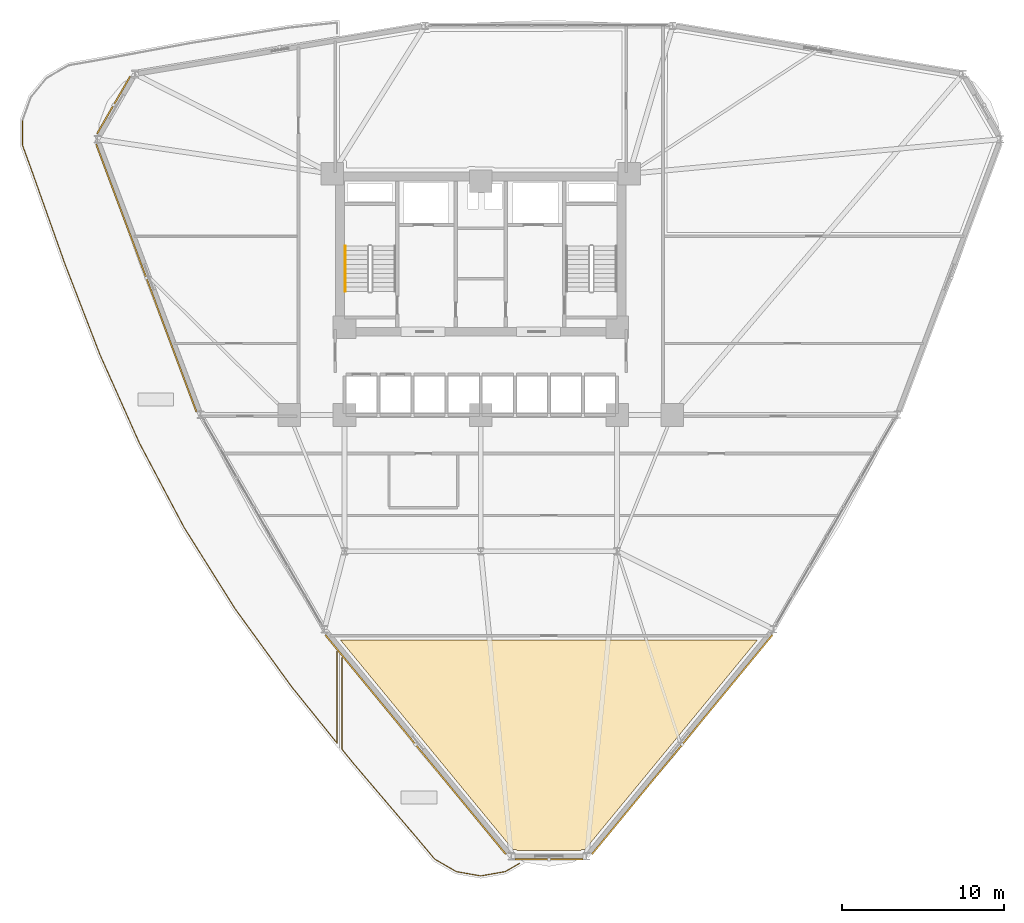
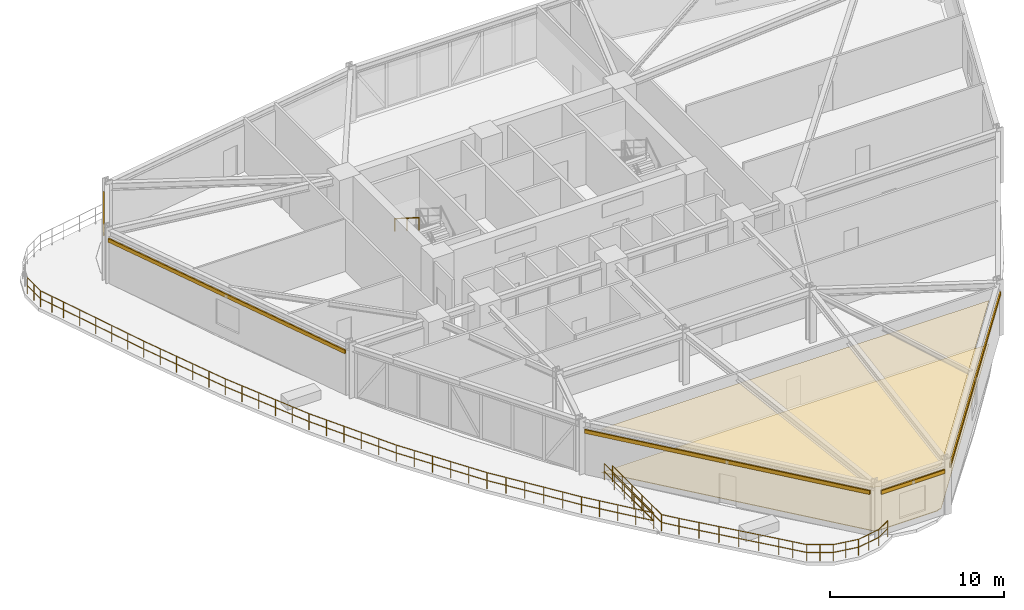
# One storey, part 19 of 21: 5 shading devices, 3 railings, 2 coverings.
"""IFC4 building model written with IfcOpenShell, lengths in metres."""

from ifc_helpers import new_model, si_unit, derived_unit, direction, frame, origin, origin_2d, place, context, subcontext, project, spatial, polyline, hollow_rectangle, circle, outline, extrude, source, transform, mapped, material, layer, layer_set, material_profile, profile_set, type_object, element, save


model = new_model("IFC4")

# Units and contexts
model_context = context("Model", 3, precision=1e-05, world=origin(), true_north=direction((0.0, 1.0)))
body_context = subcontext(model_context, "Body", "Model", "MODEL_VIEW")
ifc_project = project(units=[si_unit("LENGTHUNIT", "METRE"), si_unit("AREAUNIT", "SQUARE_METRE"), si_unit("VOLUMEUNIT", "CUBIC_METRE"), si_unit("PLANEANGLEUNIT", "RADIAN"), si_unit("MASSUNIT", "GRAM", prefix="KILO"), derived_unit("THERMALTRANSMITTANCEUNIT", [(si_unit("POWERUNIT", "WATT"), 1), (si_unit("LENGTHUNIT", "METRE"), -2), (si_unit("THERMODYNAMICTEMPERATUREUNIT", "KELVIN"), -1)])], contexts=[model_context])

# Site, building, storey
site_placement = place(None, origin())
site = spatial("IfcSite", under=ifc_project, at=site_placement, CompositionType="ELEMENT")
building_placement = place(site_placement, origin())
building = spatial("IfcBuilding", under=site, at=building_placement, Name="Korsvarv Bourse and Concert Hall", CompositionType="ELEMENT")
storey_placement = place(building_placement, frame((0.0, 0.0, 63.89990234375)))
storey = spatial("IfcBuildingStorey", under=building, at=storey_placement, Name="L15", CompositionType="ELEMENT", Elevation=63.89990234375)

# Coverings
ifc_material_1 = material(Name="Perforated mineral-wool and birch acoustic baffle ceiling", Category="wood")
ifc_layer_1 = layer(ifc_material_1, 0.02490234375)
ifc_layer_set_1 = layer_set([ifc_layer_1], Name="Perforated mineral-wool and birch acoustic baffle ceiling")
covering_type_1 = type_object("IfcCoveringType", Name="COV-CEIL-1", PredefinedType="CEILING", material=ifc_layer_set_1)
covering_1_placement = place(storey_placement, frame((0.0, 0.0, 3.06005859375)))
element("IfcCovering", 1, at=covering_1_placement, inside=storey, type_object=covering_type_1, Name="L15 acoustic baffle ceiling 2", PredefinedType="CEILING", context=body_context, shape_type="SweptSolid", body=[
    extrude(outline(polyline([(53.052490234375, 18.550048828125), (42.43017578125, 5.64599609375), (42.306884765625, 5.64599609375), (42.272216796875, 5.642578125), (42.23876953125, 5.632568359375), (42.2080078125, 5.6162109375), (42.180908203125, 5.594482421875), (42.158447265625, 5.567626953125), (38.25048828125, 5.55908203125), (38.233154296875, 5.580322265625), (38.207275390625, 5.602783203125), (38.177490234375, 5.619873046875), (38.145263671875, 5.631103515625), (38.111083984375, 5.6357421875), (37.972900390625, 5.64208984375), (27.347412109375, 18.550048828125), (53.052490234375, 18.550048828125)])), origin(), (0.0, 0.0, 1.0), 0.025146484375),
])
ifc_material_2 = material(Name="Calcium-sulphate raised access trading floor with Nordic oak top", Category="wood")
ifc_layer_2 = layer(ifc_material_2, 0.0400390625)
ifc_layer_set_2 = layer_set([ifc_layer_2], Name="Calcium-sulphate raised access trading floor with Nordic oak top")
covering_type_2 = type_object("IfcCoveringType", Name="COV-FLOR-1", PredefinedType="FLOORING", material=ifc_layer_set_2)
covering_2_placement = place(storey_placement, origin())
element("IfcCovering", 2, at=covering_2_placement, inside=storey, type_object=covering_type_2, Name="L15 raised access oak floor finish 2", PredefinedType="FLOORING", context=body_context, shape_type="SweptSolid", body=[
    extrude(outline(polyline([(53.052490234375, 18.550048828125), (42.43017578125, 5.64599609375), (42.306884765625, 5.64599609375), (42.272216796875, 5.642578125), (42.23876953125, 5.632568359375), (42.2080078125, 5.6162109375), (42.180908203125, 5.594482421875), (42.158447265625, 5.567626953125), (38.25048828125, 5.55908203125), (38.233154296875, 5.580322265625), (38.207275390625, 5.602783203125), (38.177490234375, 5.619873046875), (38.145263671875, 5.631103515625), (38.111083984375, 5.6357421875), (37.972900390625, 5.64208984375), (27.347412109375, 18.550048828125), (53.052490234375, 18.550048828125)])), origin(), (0.0, 0.0, 1.0), 0.0400390625),
])

# Railings
ifc_material_3 = material(Name="Laminated safety glass and stainless Steel S355 balustrade", Category="steel")
railing_type_1 = type_object("IfcRailingType", Name="RL-BAL-EXT", PredefinedType="BALUSTRADE", material=ifc_material_3)
railing_1_placement = place(storey_placement, frame((27.14990234375, 17.852294921875, 0.0)))
element("IfcRailing", 3, at=railing_1_placement, inside=storey, type_object=railing_type_1, Name="L15 terrace perimeter balustrade SKYG1-2", PredefinedType="BALUSTRADE", context=body_context, shape_type="SweptSolid", body=[
    extrude(circle(Radius=0.02392578125, at=origin_2d()), frame((0.0, 0.0, 1.1259765625), z_axis=(0.0, -1.0, 0.0), x_axis=(1.0, 0.0, 0.0)), (0.0, 0.0, 1.0), 5.669677734375),
    extrude(circle(Radius=0.02392578125, at=origin_2d()), frame((0.0, 0.0, 0.574951171875), z_axis=(0.0, -1.0, 0.0), x_axis=(1.0, 0.0, 0.0)), (0.0, 0.0, 1.0), 5.669677734375),
    extrude(circle(Radius=0.02392578125, at=origin_2d()), frame((0.0, -5.669677734375, 1.1259765625), z_axis=(-0.627551627671, 0.778574951182, 0.0), x_axis=(-0.778574951182, -0.627551627671, 0.0)), (0.0, 0.0, 1.0), 4.44384765625),
    extrude(circle(Radius=0.02392578125, at=origin_2d()), frame((0.0, -5.669677734375, 0.574951171875), z_axis=(-0.627551627671, 0.778574951182, 0.0), x_axis=(-0.778574951182, -0.627551627671, 0.0)), (0.0, 0.0, 1.0), 4.44384765625),
    extrude(circle(Radius=0.02392578125, at=origin_2d()), frame((-2.788818359375, -2.209716796875, 1.1259765625), z_axis=(-0.587140545127, 0.809485009292, 0.0), x_axis=(-0.809485009292, -0.587140545127, 0.0)), (0.0, 0.0, 1.0), 5.943603515625),
    extrude(circle(Radius=0.02392578125, at=origin_2d()), frame((-2.788818359375, -2.209716796875, 0.574951171875), z_axis=(-0.587140545127, 0.809485009292, 0.0), x_axis=(-0.809485009292, -0.587140545127, 0.0)), (0.0, 0.0, 1.0), 5.943603515625),
    extrude(circle(Radius=0.02392578125, at=origin_2d()), frame((-6.278564453125, 2.6015625, 1.1259765625), z_axis=(-0.531340355797, 0.847158442266, 0.0), x_axis=(-0.847158442266, -0.531340355797, 0.0)), (0.0, 0.0, 1.0), 5.90283203125),
    extrude(circle(Radius=0.02392578125, at=origin_2d()), frame((-6.278564453125, 2.6015625, 0.574951171875), z_axis=(-0.531340355797, 0.847158442266, 0.0), x_axis=(-0.847158442266, -0.531340355797, 0.0)), (0.0, 0.0, 1.0), 5.90283203125),
    extrude(circle(Radius=0.02392578125, at=origin_2d()), frame((-9.4150390625, 7.602294921875, 1.1259765625), z_axis=(-0.467969429053, 0.883744653999, 0.0), x_axis=(-0.883744653999, -0.467969429053, 0.0)), (0.0, 0.0, 1.0), 5.903076171875),
    extrude(circle(Radius=0.02392578125, at=origin_2d()), frame((-9.4150390625, 7.602294921875, 0.574951171875), z_axis=(-0.467969429053, 0.883744653999, 0.0), x_axis=(-0.883744653999, -0.467969429053, 0.0)), (0.0, 0.0, 1.0), 5.903076171875),
    extrude(circle(Radius=0.02392578125, at=origin_2d()), frame((-12.177490234375, 12.819091796875, 1.1259765625), z_axis=(-0.407490634796, 0.913209385931, 0.0), x_axis=(-0.913209385931, -0.407490634796, 0.0)), (0.0, 0.0, 1.0), 5.945068359375),
    extrude(circle(Radius=0.02392578125, at=origin_2d()), frame((-12.177490234375, 12.819091796875, 0.574951171875), z_axis=(-0.407490634796, 0.913209385931, 0.0), x_axis=(-0.913209385931, -0.407490634796, 0.0)), (0.0, 0.0, 1.0), 5.945068359375),
    extrude(circle(Radius=0.02392578125, at=origin_2d()), frame((-14.60009765625, 18.248291015625, 1.1259765625), z_axis=(-0.360455570029, 0.932776383725, 0.0), x_axis=(-0.932776383725, -0.360455570029, 0.0)), (0.0, 0.0, 1.0), 6.003662109375),
    extrude(circle(Radius=0.02392578125, at=origin_2d()), frame((-14.60009765625, 18.248291015625, 0.574951171875), z_axis=(-0.360455570029, 0.932776383725, 0.0), x_axis=(-0.932776383725, -0.360455570029, 0.0)), (0.0, 0.0, 1.0), 6.003662109375),
    extrude(circle(Radius=0.02392578125, at=origin_2d()), frame((-16.76416015625, 23.848388671875, 1.1259765625), z_axis=(-0.334950049896, 0.94223588558, 0.0), x_axis=(-0.94223588558, -0.334950049896, 0.0)), (0.0, 0.0, 1.0), 6.059326171875),
    extrude(circle(Radius=0.02392578125, at=origin_2d()), frame((-16.76416015625, 23.848388671875, 0.574951171875), z_axis=(-0.334950049896, 0.94223588558, 0.0), x_axis=(-0.94223588558, -0.334950049896, 0.0)), (0.0, 0.0, 1.0), 6.059326171875),
    extrude(circle(Radius=0.02392578125, at=origin_2d()), frame((-18.793701171875, 29.5576171875, 1.1259765625), z_axis=(-0.341993717192, 0.939702238691, 0.0), x_axis=(-0.939702238691, -0.341993717192, 0.0)), (0.0, 0.0, 1.0), 1.720458984375),
    extrude(circle(Radius=0.02392578125, at=origin_2d()), frame((-18.793701171875, 29.5576171875, 0.574951171875), z_axis=(-0.341993717192, 0.939702238691, 0.0), x_axis=(-0.939702238691, -0.341993717192, 0.0)), (0.0, 0.0, 1.0), 1.720458984375),
    extrude(circle(Radius=0.02392578125, at=origin_2d()), frame((-19.382080078125, 31.17431640625, 1.1259765625), z_axis=(0.0, 1.0, 0.0), x_axis=(-1.0, 0.0, 0.0)), (0.0, 0.0, 1.0), 1.531494140625),
    extrude(circle(Radius=0.02392578125, at=origin_2d()), frame((-19.382080078125, 31.17431640625, 0.574951171875), z_axis=(0.0, 1.0, 0.0), x_axis=(-1.0, 0.0, 0.0)), (0.0, 0.0, 1.0), 1.531494140625),
    extrude(circle(Radius=0.02099609375, at=origin_2d()), origin(), (0.0, 0.0, 1.0), 1.101806640625),
    extrude(circle(Radius=0.02099609375, at=origin_2d()), frame((0.0, -1.134033203125, 0.0)), (0.0, 0.0, 1.0), 1.101806640625),
    extrude(circle(Radius=0.02099609375, at=origin_2d()), frame((0.0, -2.267822265625, 0.0)), (0.0, 0.0, 1.0), 1.101806640625),
    extrude(circle(Radius=0.02099609375, at=origin_2d()), frame((0.0, -3.40185546875, 0.0)), (0.0, 0.0, 1.0), 1.101806640625),
    extrude(circle(Radius=0.02099609375, at=origin_2d()), frame((0.0, -4.53564453125, 0.0)), (0.0, 0.0, 1.0), 1.101806640625),
    extrude(circle(Radius=0.02099609375, at=origin_2d()), frame((0.0, -5.669677734375, 0.0)), (0.0, 0.0, 1.0), 1.101806640625),
    extrude(circle(Radius=0.02099609375, at=origin_2d()), frame((-0.697265625, -4.8046875, 0.0)), (0.0, 0.0, 1.0), 1.101806640625),
    extrude(circle(Radius=0.02099609375, at=origin_2d()), frame((-1.39453125, -3.939697265625, 0.0)), (0.0, 0.0, 1.0), 1.101806640625),
    extrude(circle(Radius=0.02099609375, at=origin_2d()), frame((-2.091552734375, -3.07470703125, 0.0)), (0.0, 0.0, 1.0), 1.101806640625),
    extrude(circle(Radius=0.02099609375, at=origin_2d()), frame((-2.788818359375, -2.209716796875, 0.0)), (0.0, 0.0, 1.0), 1.101806640625),
    extrude(circle(Radius=0.02099609375, at=origin_2d()), frame((-3.48681640625, -1.24755859375, 0.0)), (0.0, 0.0, 1.0), 1.101806640625),
    extrude(circle(Radius=0.02099609375, at=origin_2d()), frame((-4.184814453125, -0.28515625, 0.0)), (0.0, 0.0, 1.0), 1.101806640625),
    extrude(circle(Radius=0.02099609375, at=origin_2d()), frame((-4.882568359375, 0.677001953125, 0.0)), (0.0, 0.0, 1.0), 1.101806640625),
    extrude(circle(Radius=0.02099609375, at=origin_2d()), frame((-5.58056640625, 1.639404296875, 0.0)), (0.0, 0.0, 1.0), 1.101806640625),
    extrude(circle(Radius=0.02099609375, at=origin_2d()), frame((-6.278564453125, 2.6015625, 0.0)), (0.0, 0.0, 1.0), 1.101806640625),
    extrude(circle(Radius=0.02099609375, at=origin_2d()), frame((-6.90576171875, 3.601806640625, 0.0)), (0.0, 0.0, 1.0), 1.101806640625),
    extrude(circle(Radius=0.02099609375, at=origin_2d()), frame((-7.533203125, 4.601806640625, 0.0)), (0.0, 0.0, 1.0), 1.101806640625),
    extrude(circle(Radius=0.02099609375, at=origin_2d()), frame((-8.160400390625, 5.60205078125, 0.0)), (0.0, 0.0, 1.0), 1.101806640625),
    extrude(circle(Radius=0.02099609375, at=origin_2d()), frame((-8.787841796875, 6.60205078125, 0.0)), (0.0, 0.0, 1.0), 1.101806640625),
    extrude(circle(Radius=0.02099609375, at=origin_2d()), frame((-9.4150390625, 7.602294921875, 0.0)), (0.0, 0.0, 1.0), 1.101806640625),
    extrude(circle(Radius=0.02099609375, at=origin_2d()), frame((-9.967529296875, 8.645751953125, 0.0)), (0.0, 0.0, 1.0), 1.101806640625),
    extrude(circle(Radius=0.02099609375, at=origin_2d()), frame((-10.52001953125, 9.68896484375, 0.0)), (0.0, 0.0, 1.0), 1.101806640625),
    extrude(circle(Radius=0.02099609375, at=origin_2d()), frame((-11.072509765625, 10.732421875, 0.0)), (0.0, 0.0, 1.0), 1.101806640625),
    extrude(circle(Radius=0.02099609375, at=origin_2d()), frame((-11.625, 11.775634765625, 0.0)), (0.0, 0.0, 1.0), 1.101806640625),
    extrude(circle(Radius=0.02099609375, at=origin_2d()), frame((-12.177490234375, 12.819091796875, 0.0)), (0.0, 0.0, 1.0), 1.101806640625),
    extrude(circle(Radius=0.02099609375, at=origin_2d()), frame((-12.662109375, 13.905029296875, 0.0)), (0.0, 0.0, 1.0), 1.101806640625),
    extrude(circle(Radius=0.02099609375, at=origin_2d()), frame((-13.146484375, 14.99072265625, 0.0)), (0.0, 0.0, 1.0), 1.101806640625),
    extrude(circle(Radius=0.02099609375, at=origin_2d()), frame((-13.631103515625, 16.07666015625, 0.0)), (0.0, 0.0, 1.0), 1.101806640625),
    extrude(circle(Radius=0.02099609375, at=origin_2d()), frame((-14.115478515625, 17.162353515625, 0.0)), (0.0, 0.0, 1.0), 1.101806640625),
    extrude(circle(Radius=0.02099609375, at=origin_2d()), frame((-14.60009765625, 18.248291015625, 0.0)), (0.0, 0.0, 1.0), 1.101806640625),
    extrude(circle(Radius=0.02099609375, at=origin_2d()), frame((-15.032958984375, 19.368408203125, 0.0)), (0.0, 0.0, 1.0), 1.101806640625),
    extrude(circle(Radius=0.02099609375, at=origin_2d()), frame((-15.4658203125, 20.48828125, 0.0)), (0.0, 0.0, 1.0), 1.101806640625),
    extrude(circle(Radius=0.02099609375, at=origin_2d()), frame((-15.8984375, 21.6083984375, 0.0)), (0.0, 0.0, 1.0), 1.101806640625),
    extrude(circle(Radius=0.02099609375, at=origin_2d()), frame((-16.331298828125, 22.728271484375, 0.0)), (0.0, 0.0, 1.0), 1.101806640625),
    extrude(circle(Radius=0.02099609375, at=origin_2d()), frame((-16.76416015625, 23.848388671875, 0.0)), (0.0, 0.0, 1.0), 1.101806640625),
    extrude(circle(Radius=0.02099609375, at=origin_2d()), frame((-17.170166015625, 24.990234375, 0.0)), (0.0, 0.0, 1.0), 1.101806640625),
    extrude(circle(Radius=0.02099609375, at=origin_2d()), frame((-17.575927734375, 26.132080078125, 0.0)), (0.0, 0.0, 1.0), 1.101806640625),
    extrude(circle(Radius=0.02099609375, at=origin_2d()), frame((-17.98193359375, 27.27392578125, 0.0)), (0.0, 0.0, 1.0), 1.101806640625),
    extrude(circle(Radius=0.02099609375, at=origin_2d()), frame((-18.3876953125, 28.415771484375, 0.0)), (0.0, 0.0, 1.0), 1.101806640625),
    extrude(circle(Radius=0.02099609375, at=origin_2d()), frame((-18.793701171875, 29.5576171875, 0.0)), (0.0, 0.0, 1.0), 1.101806640625),
    extrude(circle(Radius=0.02099609375, at=origin_2d()), frame((-19.087890625, 30.365966796875, 0.0)), (0.0, 0.0, 1.0), 1.101806640625),
    extrude(circle(Radius=0.02099609375, at=origin_2d()), frame((-19.382080078125, 31.17431640625, 0.0)), (0.0, 0.0, 1.0), 1.101806640625),
    extrude(circle(Radius=0.02099609375, at=origin_2d()), frame((-19.382080078125, 31.93994140625, 0.0)), (0.0, 0.0, 1.0), 1.101806640625),
    extrude(circle(Radius=0.02099609375, at=origin_2d()), frame((-19.382080078125, 32.705810546875, 0.0)), (0.0, 0.0, 1.0), 1.101806640625),
])
railing_2_placement = place(storey_placement, frame((38.38525390625, 4.777587890625, 0.0)))
element("IfcRailing", 4, at=railing_2_placement, inside=storey, type_object=railing_type_1, Name="L15 terrace perimeter balustrade SKYG3-1", PredefinedType="BALUSTRADE", context=body_context, shape_type="SweptSolid", body=[
    extrude(circle(Radius=0.02392578125, at=origin_2d()), frame((0.0, 0.0, 1.1259765625), z_axis=(-0.865948626852, -0.500132957976, 0.0), x_axis=(0.500132957976, -0.865948626852, 0.0)), (0.0, 0.0, 1.0), 1.012451171875),
    extrude(circle(Radius=0.02392578125, at=origin_2d()), frame((0.0, 0.0, 0.574951171875), z_axis=(-0.865948626852, -0.500132957976, 0.0), x_axis=(0.500132957976, -0.865948626852, 0.0)), (0.0, 0.0, 1.0), 1.012451171875),
    extrude(circle(Radius=0.02392578125, at=origin_2d()), frame((-0.876708984375, -0.50634765625, 1.1259765625), z_axis=(-0.98482204307, -0.173567115213, 0.0), x_axis=(0.173567115213, -0.98482204307, 0.0)), (0.0, 0.0, 1.0), 1.53173828125),
    extrude(circle(Radius=0.02392578125, at=origin_2d()), frame((-0.876708984375, -0.50634765625, 0.574951171875), z_axis=(-0.98482204307, -0.173567115213, 0.0), x_axis=(0.173567115213, -0.98482204307, 0.0)), (0.0, 0.0, 1.0), 1.53173828125),
    extrude(circle(Radius=0.02392578125, at=origin_2d()), frame((-2.38525390625, -0.772216796875, 1.1259765625), z_axis=(-0.98482204307, 0.173567115213, 0.0), x_axis=(-0.173567115213, -0.98482204307, 0.0)), (0.0, 0.0, 1.0), 1.53173828125),
    extrude(circle(Radius=0.02392578125, at=origin_2d()), frame((-2.38525390625, -0.772216796875, 0.574951171875), z_axis=(-0.98482204307, 0.173567115213, 0.0), x_axis=(-0.173567115213, -0.98482204307, 0.0)), (0.0, 0.0, 1.0), 1.53173828125),
    extrude(circle(Radius=0.02392578125, at=origin_2d()), frame((-3.893798828125, -0.50634765625, 1.1259765625), z_axis=(-0.865967872114, 0.50009963454, 0.0), x_axis=(-0.50009963454, -0.865967872114, 0.0)), (0.0, 0.0, 1.0), 1.531494140625),
    extrude(circle(Radius=0.02392578125, at=origin_2d()), frame((-3.893798828125, -0.50634765625, 0.574951171875), z_axis=(-0.865967872114, 0.50009963454, 0.0), x_axis=(-0.50009963454, -0.865967872114, 0.0)), (0.0, 0.0, 1.0), 1.531494140625),
    extrude(circle(Radius=0.02392578125, at=origin_2d()), frame((-5.219970703125, 0.259521484375, 1.1259765625), z_axis=(-0.642814538996, 0.766021845939, 0.0), x_axis=(-0.766021845939, -0.642814538996, 0.0)), (0.0, 0.0, 1.0), 1.714111328125),
    extrude(circle(Radius=0.02392578125, at=origin_2d()), frame((-5.219970703125, 0.259521484375, 0.574951171875), z_axis=(-0.642814538996, 0.766021845939, 0.0), x_axis=(-0.766021845939, -0.642814538996, 0.0)), (0.0, 0.0, 1.0), 1.714111328125),
    extrude(circle(Radius=0.02392578125, at=origin_2d()), frame((-6.32177734375, 1.572509765625, 1.1259765625), z_axis=(-0.648531241894, 0.761188037404, 0.0), x_axis=(-0.761188037404, -0.648531241894, 0.0)), (0.0, 0.0, 1.0), 6.065673828125),
    extrude(circle(Radius=0.02392578125, at=origin_2d()), frame((-6.32177734375, 1.572509765625, 0.574951171875), z_axis=(-0.648531241894, 0.761188037404, 0.0), x_axis=(-0.761188037404, -0.648531241894, 0.0)), (0.0, 0.0, 1.0), 6.065673828125),
    extrude(circle(Radius=0.02392578125, at=origin_2d()), frame((-10.255615234375, 6.189697265625, 1.1259765625), z_axis=(-0.627549757201, 0.778576458826, 0.0), x_axis=(-0.778576458826, -0.627549757201, 0.0)), (0.0, 0.0, 1.0), 1.0830078125),
    extrude(circle(Radius=0.02392578125, at=origin_2d()), frame((-10.255615234375, 6.189697265625, 0.574951171875), z_axis=(-0.627549757201, 0.778576458826, 0.0), x_axis=(-0.778576458826, -0.627549757201, 0.0)), (0.0, 0.0, 1.0), 1.0830078125),
    extrude(circle(Radius=0.02392578125, at=origin_2d()), frame((-10.935302734375, 7.032958984375, 1.1259765625), z_axis=(0.0, 1.0, 0.0), x_axis=(-1.0, 0.0, 0.0)), (0.0, 0.0, 1.0), 5.6279296875),
    extrude(circle(Radius=0.02392578125, at=origin_2d()), frame((-10.935302734375, 7.032958984375, 0.574951171875), z_axis=(0.0, 1.0, 0.0), x_axis=(-1.0, 0.0, 0.0)), (0.0, 0.0, 1.0), 5.6279296875),
    extrude(circle(Radius=0.02099609375, at=origin_2d()), origin(), (0.0, 0.0, 1.0), 1.101806640625),
    extrude(circle(Radius=0.02099609375, at=origin_2d()), frame((-0.876708984375, -0.50634765625, 0.0)), (0.0, 0.0, 1.0), 1.101806640625),
    extrude(circle(Radius=0.02099609375, at=origin_2d()), frame((-1.630859375, -0.63916015625, 0.0)), (0.0, 0.0, 1.0), 1.101806640625),
    extrude(circle(Radius=0.02099609375, at=origin_2d()), frame((-2.38525390625, -0.772216796875, 0.0)), (0.0, 0.0, 1.0), 1.101806640625),
    extrude(circle(Radius=0.02099609375, at=origin_2d()), frame((-3.1396484375, -0.63916015625, 0.0)), (0.0, 0.0, 1.0), 1.101806640625),
    extrude(circle(Radius=0.02099609375, at=origin_2d()), frame((-3.893798828125, -0.50634765625, 0.0)), (0.0, 0.0, 1.0), 1.101806640625),
    extrude(circle(Radius=0.02099609375, at=origin_2d()), frame((-4.556884765625, -0.12353515625, 0.0)), (0.0, 0.0, 1.0), 1.101806640625),
    extrude(circle(Radius=0.02099609375, at=origin_2d()), frame((-5.219970703125, 0.259521484375, 0.0)), (0.0, 0.0, 1.0), 1.101806640625),
    extrude(circle(Radius=0.02099609375, at=origin_2d()), frame((-5.77099609375, 0.916015625, 0.0)), (0.0, 0.0, 1.0), 1.101806640625),
    extrude(circle(Radius=0.02099609375, at=origin_2d()), frame((-6.32177734375, 1.572509765625, 0.0)), (0.0, 0.0, 1.0), 1.101806640625),
    extrude(circle(Radius=0.02099609375, at=origin_2d()), frame((-7.108642578125, 2.495849609375, 0.0)), (0.0, 0.0, 1.0), 1.101806640625),
    extrude(circle(Radius=0.02099609375, at=origin_2d()), frame((-7.895263671875, 3.41943359375, 0.0)), (0.0, 0.0, 1.0), 1.101806640625),
    extrude(circle(Radius=0.02099609375, at=origin_2d()), frame((-8.68212890625, 4.3427734375, 0.0)), (0.0, 0.0, 1.0), 1.101806640625),
    extrude(circle(Radius=0.02099609375, at=origin_2d()), frame((-9.46875, 5.266357421875, 0.0)), (0.0, 0.0, 1.0), 1.101806640625),
    extrude(circle(Radius=0.02099609375, at=origin_2d()), frame((-10.255615234375, 6.189697265625, 0.0)), (0.0, 0.0, 1.0), 1.101806640625),
    extrude(circle(Radius=0.02099609375, at=origin_2d()), frame((-10.935302734375, 7.032958984375, 0.0)), (0.0, 0.0, 1.0), 1.101806640625),
    extrude(circle(Radius=0.02099609375, at=origin_2d()), frame((-10.935302734375, 8.158447265625, 0.0)), (0.0, 0.0, 1.0), 1.101806640625),
    extrude(circle(Radius=0.02099609375, at=origin_2d()), frame((-10.935302734375, 9.2841796875, 0.0)), (0.0, 0.0, 1.0), 1.101806640625),
    extrude(circle(Radius=0.02099609375, at=origin_2d()), frame((-10.935302734375, 10.40966796875, 0.0)), (0.0, 0.0, 1.0), 1.101806640625),
    extrude(circle(Radius=0.02099609375, at=origin_2d()), frame((-10.935302734375, 11.535400390625, 0.0)), (0.0, 0.0, 1.0), 1.101806640625),
    extrude(circle(Radius=0.02099609375, at=origin_2d()), frame((-10.935302734375, 12.660888671875, 0.0)), (0.0, 0.0, 1.0), 1.101806640625),
])
ifc_material_4 = material(Name="Brushed stainless Steel S355 tubular handrail", Category="steel")
railing_type_2 = type_object("IfcRailingType", Name="RL-ST-HND", PredefinedType="HANDRAIL", material=ifc_material_4)
railing_3_placement = place(storey_placement, frame((27.64990234375, 42.800048828125, 2.12744140625)))
element("IfcRailing", 5, at=railing_3_placement, inside=storey, type_object=railing_type_2, Name="L15 ST-T1 stair handrail 2", PredefinedType="HANDRAIL", context=body_context, shape_type="SweptSolid", body=[
    extrude(circle(Radius=0.02392578125, at=origin_2d()), frame((0.0, 0.0, 0.8759765625), z_axis=(0.0, -0.844908973607, 0.534910110503), x_axis=(1.0, 0.0, 0.0)), (0.0, 0.0, 1.0), 3.31396484375),
    extrude(circle(Radius=0.02099609375, at=origin_2d()), origin(), (0.0, 0.0, 1.0), 0.851806640625),
    extrude(circle(Radius=0.02099609375, at=origin_2d()), frame((0.0, -1.39990234375, 0.88623046875)), (0.0, 0.0, 1.0), 0.851806640625),
    extrude(circle(Radius=0.02099609375, at=origin_2d()), frame((0.0, -2.800048828125, 1.772705078125)), (0.0, 0.0, 1.0), 0.851806640625),
])

# Shading devices
ifc_material_5 = material(Name="Glazed extruded architectural terracotta", Category="ceramic")
ifc_material_profile = material_profile(ifc_material_5, hollow_rectangle(XDim=0.090087890625, YDim=0.260009765625, WallThickness=0.011962890625, at=origin_2d()), Name="TC-BAG 90x260")
ifc_profile_set = profile_set([ifc_material_profile], Name="Glazed extruded architectural terracotta")
shading_device_type = type_object("IfcShadingDeviceType", Name="SHD-BAG-1", PredefinedType="USERDEFINED", material=ifc_profile_set)
shared_shape_1 = source(origin(), body_context, "Body", "SweptSolid", [
    extrude(hollow_rectangle(XDim=0.090087890625, YDim=0.260009765625, WallThickness=0.011962890625, at=origin_2d()), origin(), (0.0, 0.0, 1.0), 4.0791015625),
])
shading_device_1_placement = place(storey_placement, frame((14.40234375, 53.249267578125, 3.070068359375), z_axis=(-0.500014317814, -0.866017137233, 0.0), x_axis=(0.866017137233, -0.500014317814, 0.0)))
element("IfcShadingDevice", 6, at=shading_device_1_placement, inside=storey, type_object=shading_device_type, Name="L15 terracotta baguette sunshade EW-L15-B05", ObjectType="BAGUETTE", PredefinedType="USERDEFINED", context=body_context, shape_type="MappedRepresentation", body=[
    mapped(shared_shape_1, transform((0.0, 0.0, 0.0), scale=1.0)),
])
shared_shape_2 = source(origin(), body_context, "Body", "SweptSolid", [
    extrude(hollow_rectangle(XDim=0.090087890625, YDim=0.260009765625, WallThickness=0.011962890625, at=origin_2d()), origin(), (0.0, 0.0, 1.0), 17.600341796875),
])
shading_device_2_placement = place(storey_placement, frame((12.310302734375, 49.078857421875, 3.070068359375), z_axis=(0.350833077365, -0.936438012805, 0.0), x_axis=(0.936438012805, 0.350833077365, 0.0)))
element("IfcShadingDevice", 7, at=shading_device_2_placement, inside=storey, type_object=shading_device_type, Name="L15 terracotta baguette sunshade EW-L15-B06", ObjectType="BAGUETTE", PredefinedType="USERDEFINED", context=body_context, shape_type="MappedRepresentation", body=[
    mapped(shared_shape_2, transform((0.0, 0.0, 0.0), scale=1.0)),
])
shared_shape_3 = source(origin(), body_context, "Body", "SweptSolid", [
    extrude(hollow_rectangle(XDim=0.090087890625, YDim=0.260009765625, WallThickness=0.011962890625, at=origin_2d()), origin(), (0.0, 0.0, 1.0), 17.490478515625),
])
for number, where, z_axis, x_axis, name in (
    (8, (26.423095703125, 18.84716796875, 3.070068359375), (0.635547248194, -0.772061976342, 0.0), (0.772061976342, 0.635547248194, 0.0), "L15 terracotta baguette sunshade EW-L15-B08"),
    (9, (42.853271484375, 5.349853515625, 3.070068359375), (0.635547248194, 0.772061976342, 0.0), (-0.772061976342, 0.635547248194, 0.0), "L15 terracotta baguette sunshade EW-L15-B10"),
):
    element("IfcShadingDevice", number, at=place(storey_placement, frame(where, z_axis=z_axis, x_axis=x_axis)), inside=storey, type_object=shading_device_type, Name=name, ObjectType="BAGUETTE", PredefinedType="USERDEFINED", context=body_context, shape_type="MappedRepresentation", body=[
        mapped(shared_shape_3, transform((0.0, 0.0, 0.0), scale=1.0)),
    ])
shared_shape_4 = source(origin(), body_context, "Body", "SweptSolid", [
    extrude(hollow_rectangle(XDim=0.090087890625, YDim=0.260009765625, WallThickness=0.011962890625, at=origin_2d()), origin(), (0.0, 0.0, 1.0), 4.2041015625),
])
shading_device_3_placement = place(storey_placement, frame((38.097900390625, 5.033935546875, 3.070068359375), z_axis=(1.0, 0.0, 0.0), x_axis=(0.0, 1.0, 0.0)))
element("IfcShadingDevice", 10, at=shading_device_3_placement, inside=storey, type_object=shading_device_type, Name="L15 terracotta baguette sunshade EW-L15-B09", ObjectType="BAGUETTE", PredefinedType="USERDEFINED", context=body_context, shape_type="MappedRepresentation", body=[
    mapped(shared_shape_4, transform((0.0, 0.0, 0.0), scale=1.0)),
])

save(model, "model.ifc")
